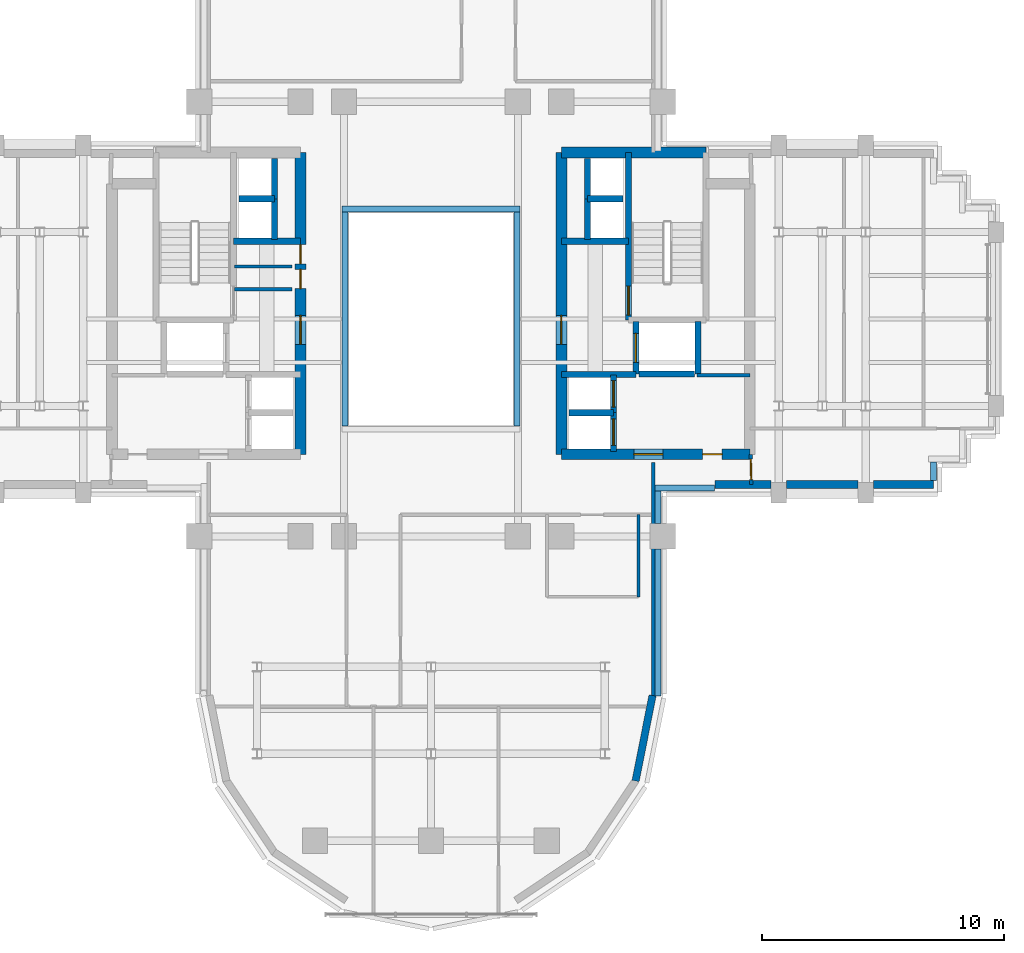
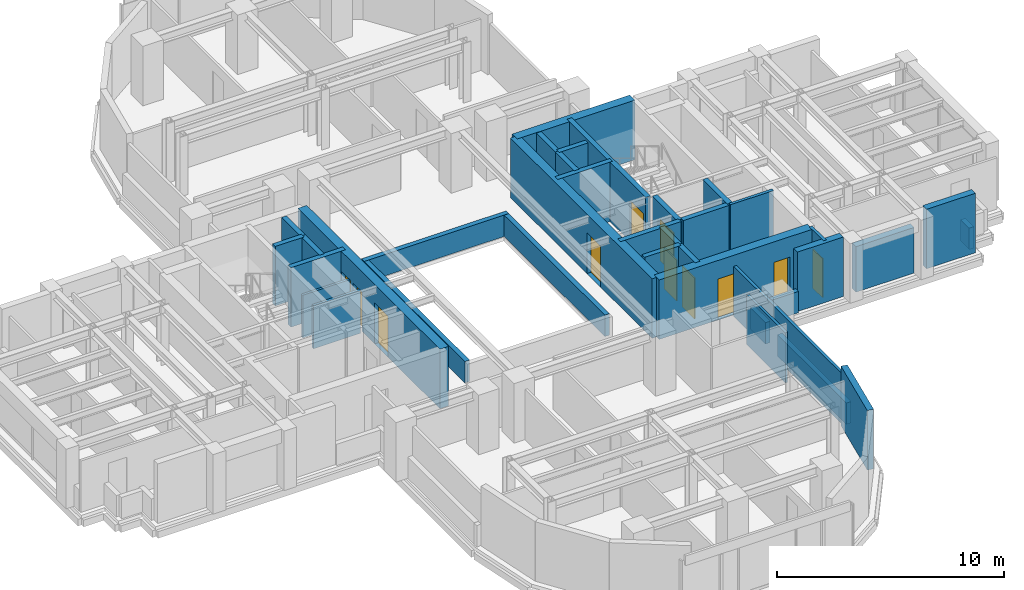
# One storey, part 9 of 14: 37 walls, 11 doors, 11 openings.
"""IFC4 building model written with IfcOpenShell, lengths in metres."""

from ifc_helpers import new_model, si_unit, direction, frame, frame_2d, origin, place, context, subcontext, project, spatial, rectangle, extrude, source, transform, mapped, material, layer, layer_set, type_object, element, fill, save


model = new_model("IFC4")

# Units and contexts
model_context = context("Model", 3, precision=1e-05, world=origin(), true_north=direction((0.0, 1.0)))
body_context = subcontext(model_context, "Body", "Model", "MODEL_VIEW")
ifc_project = project(units=[si_unit("LENGTHUNIT", "METRE"), si_unit("AREAUNIT", "SQUARE_METRE"), si_unit("VOLUMEUNIT", "CUBIC_METRE"), si_unit("PLANEANGLEUNIT", "RADIAN"), si_unit("MASSUNIT", "GRAM", prefix="KILO")], contexts=[model_context])

# Site, building, storey
site_placement = place(None, origin())
site = spatial("IfcSite", under=ifc_project, at=site_placement, CompositionType="ELEMENT")
building_placement = place(site_placement, origin())
building = spatial("IfcBuilding", under=site, at=building_placement, Name="Keilestroom Media Tower", CompositionType="ELEMENT")
storey_placement = place(building_placement, frame((0.0, 0.0, 117.60009765625)))
storey = spatial("IfcBuildingStorey", under=building, at=storey_placement, Name="L31", CompositionType="ELEMENT", Elevation=117.60009765625)

# Walls
ifc_material_1 = material(Name="Precast concrete C40/50", Category="concrete")
ifc_layer_1 = layer(ifc_material_1, 0.300048828125)
ifc_layer_set_1 = layer_set([ifc_layer_1], Name="Precast concrete C40/50")
wall_type_1 = type_object("IfcWallType", Name="Exterior-Masonry-Spandrel-Wall-300", PredefinedType="SOLIDWALL", material=ifc_layer_set_1)
wall_1_placement = place(storey_placement, frame((8.470703125, -19.12451171875, 0.0), z_axis=(0.0, 0.0, 1.0), x_axis=(0.195114232679, 0.980780523974, 0.0)))
element("IfcWall", 1, at=wall_1_placement, inside=storey, type_object=wall_type_1, Name="L31 Lobe Facet Precast Frame Wall 12", PredefinedType="SOLIDWALL", context=body_context, shape_type="SweptSolid", body=[
    extrude(rectangle(XDim=3.608642578125, YDim=0.300048828125, at=frame_2d((1.80419921875, 0.0))), origin(), (0.0, 0.0, 1.0), 3.199951171875),
])
ifc_layer_2 = layer(ifc_material_1, 0.340087890625)
ifc_layer_set_2 = layer_set([ifc_layer_2], Name="Precast concrete C40/50")
wall_type_2 = type_object("IfcWallType", Name="Exterior-Masonry-Spandrel-Wall-340", PredefinedType="SOLIDWALL", material=ifc_layer_set_2)
wall_2_placement = place(storey_placement, frame((11.75, -6.85009765625, 0.0), z_axis=(0.0, 0.0, 1.0), x_axis=(1.0, 0.0, 0.0)))
element("IfcWall", 2, at=wall_2_placement, inside=storey, type_object=wall_type_2, Name="L31 Flank Masonry Wall EWL-L31-SE-1", PredefinedType="SOLIDWALL", context=body_context, shape_type="SweptSolid", body=[
    extrude(rectangle(XDim=2.3330078125, YDim=0.340087890625, at=frame_2d((1.16650390625, 0.0))), origin(), (0.0, 0.0, 1.0), 3.199951171875),
])
wall_3_placement = place(storey_placement, frame((14.717041015625, -6.85009765625, 0.0), z_axis=(0.0, 0.0, 1.0), x_axis=(1.0, 0.0, 0.0)))
element("IfcWall", 3, at=wall_3_placement, inside=storey, type_object=wall_type_2, Name="L31 Flank Masonry Wall EWL-L31-SE-2", PredefinedType="SOLIDWALL", context=body_context, shape_type="SweptSolid", body=[
    extrude(rectangle(XDim=2.966064453125, YDim=0.340087890625, at=frame_2d((1.48291015625, 0.0))), origin(), (0.0, 0.0, 1.0), 2.449951171875),
])
wall_4_placement = place(storey_placement, frame((18.31689453125, -6.85009765625, 0.0), z_axis=(0.0, 0.0, 1.0), x_axis=(1.0, 0.0, 0.0)))
element("IfcWall", 4, at=wall_4_placement, inside=storey, type_object=wall_type_2, Name="L31 Flank Masonry Wall EWL-L31-SE-3", PredefinedType="SOLIDWALL", context=body_context, shape_type="SweptSolid", body=[
    extrude(rectangle(XDim=2.483154296875, YDim=0.340087890625, at=frame_2d((1.24169921875, 0.0))), origin(), (0.0, 0.0, 1.0), 3.199951171875),
])
ifc_material_2 = material(Name="Gypsum Plasterboard & Steel Stud", Category="steel")
ifc_layer_3 = layer(ifc_material_2, 0.1201171875)
ifc_layer_set_3 = layer_set([ifc_layer_3], Name="Gypsum Plasterboard & Steel Stud")
wall_type_3 = type_object("IfcWallType", Name="Interior-Partition-Wall-120", PredefinedType="PARTITIONING", material=ifc_layer_set_3)
wall_5_placement = place(storey_placement, frame((-8.139892578125, 2.179931640625, 0.0), z_axis=(0.0, 0.0, 1.0), x_axis=(1.0, 0.0, 0.0)))
element("IfcWall", 5, at=wall_5_placement, inside=storey, type_object=wall_type_3, Name="L31 Interior Wall WP-L31-CNW-N", PredefinedType="PARTITIONING", context=body_context, shape_type="SweptSolid", body=[
    extrude(rectangle(XDim=2.389892578125, YDim=0.1201171875, at=frame_2d((1.19482421875, 0.0))), origin(), (0.0, 0.0, 1.0), 2.2998046875),
])
wall_6_placement = place(storey_placement, frame((8.60009765625, -11.5, 0.0), z_axis=(0.0, 0.0, 1.0), x_axis=(0.0, 1.0, 0.0)))
element("IfcWall", 6, at=wall_6_placement, inside=storey, type_object=wall_type_3, Name="L31 Interior Wall WP-L31-SL-WC-E", PredefinedType="PARTITIONING", context=body_context, shape_type="SweptSolid", body=[
    extrude(rectangle(XDim=3.39990234375, YDim=0.1201171875, at=frame_2d((1.699951171875, 0.0))), origin(), (0.0, 0.0, 1.0), 2.699951171875),
])
ifc_layer_4 = layer(ifc_material_2, 0.14990234375)
ifc_layer_set_4 = layer_set([ifc_layer_4], Name="Gypsum Plasterboard & Steel Stud")
wall_type_4 = type_object("IfcWallType", Name="Interior-Partition-Wall-150", PredefinedType="PARTITIONING", material=ifc_layer_set_4)
wall_7_placement = place(storey_placement, frame((-8.139892578125, 1.239990234375, 0.0), z_axis=(0.0, 0.0, 1.0), x_axis=(1.0, 0.0, 0.0)))
element("IfcWall", 7, at=wall_7_placement, inside=storey, type_object=wall_type_4, Name="L31 Interior Wall WP-L31-FFW-TOP", PredefinedType="PARTITIONING", context=body_context, shape_type="SweptSolid", body=[
    extrude(rectangle(XDim=2.389892578125, YDim=0.14990234375, at=frame_2d((1.19482421875, 0.0))), origin(), (0.0, 0.0, 1.0), 2.2998046875),
])
wall_8_placement = place(storey_placement, frame((11.02001953125, -2.320068359375, 0.0), z_axis=(0.0, 0.0, 1.0), x_axis=(1.0, 0.0, 0.0)))
element("IfcWall", 8, at=wall_8_placement, inside=storey, type_object=wall_type_4, Name="L31 Interior Wall WP-L31-RECLE-N", PredefinedType="PARTITIONING", context=body_context, shape_type="SweptSolid", body=[
    extrude(rectangle(XDim=2.179931640625, YDim=0.14990234375, at=frame_2d((1.08984375, 0.0))), origin(), (0.0, 0.0, 1.0), 3.199951171875),
])
wall_9_placement = place(storey_placement, frame((9.199951171875, -15.679931640625, 0.0), z_axis=(0.0, 0.0, 1.0), x_axis=(0.0, 1.0, 0.0)))
element("IfcWall", 9, at=wall_9_placement, inside=storey, type_object=wall_type_4, Name="L31 Interior Wall WP-L31-SL-CHKE", PredefinedType="PARTITIONING", context=body_context, shape_type="SweptSolid", body=[
    extrude(rectangle(XDim=9.739990234375, YDim=0.14990234375, at=frame_2d((4.8701171875, 0.0))), origin(), (0.0, 0.0, 1.0), 2.699951171875),
])

# Wall, opening, door
wall_10_placement = place(storey_placement, frame((13.260009765625, -6.85009765625, 0.0), z_axis=(0.0, 0.0, 1.0), x_axis=(-0.016013571389, 0.999871774545, 0.0)))
wall_10 = element("IfcWall", 10, at=wall_10_placement, inside=storey, type_object=wall_type_4, Name="L31 Interior Wall WP-L31-EA-ENTS", PredefinedType="PARTITIONING", context=body_context, shape_type="SweptSolid", body=[
    extrude(rectangle(XDim=1.250244140625, YDim=0.14990234375, at=frame_2d((0.625, 0.0))), origin(), (0.0, 0.0, 1.0), 3.199951171875),
])
opening_1_placement = place(wall_10_placement, frame((0.199951171875, 0.0, 0.0)))
opening_1 = element("IfcOpeningElement", 11, at=opening_1_placement, cuts=wall_10, Name="Opening DI-05", PredefinedType="OPENING", context=body_context, shape_type="SweptSolid", body=[
    extrude(rectangle(XDim=0.85009765625, YDim=2.10009765625, at=frame_2d((0.425048828125, 1.050048828125))), frame((0.0, 0.0849609375, 0.0), z_axis=(0.0, -1.0, 0.0), x_axis=(1.0, 0.0, 0.0)), (0.0, 0.0, 1.0), 0.169921875),
])
ifc_material_3 = material(Name="Moisture-Resistant Oak Leaf", Category="wood")
door_type_1 = type_object("IfcDoorType", Name="Interior-En-Suite-And-Cupboard-Door-DI-05", OperationType="NOTDEFINED", PredefinedType="DOOR", material=ifc_material_3)
shared_shape_1 = source(origin(), body_context, "Body", "SweptSolid", [
    extrude(rectangle(XDim=0.85009765625, YDim=2.10009765625, at=frame_2d((0.425048828125, 1.050048828125))), frame((0.0, 0.02490234375, 0.0), z_axis=(0.0, -1.0, 0.0), x_axis=(1.0, 0.0, 0.0)), (0.0, 0.0, 1.0), 0.050048828125),
])
door_1_placement = place(opening_1_placement, origin())
door_1 = element("IfcDoor", 12, at=door_1_placement, inside=storey, type_object=door_type_1, Name="L31 Interior Door DI-L31-DEA-ENTS", OperationType="SINGLE_SWING_LEFT", OverallHeight=2.10009765625, OverallWidth=0.85009765625, PredefinedType="DOOR", context=body_context, shape_type="MappedRepresentation", body=[
    mapped(shared_shape_1, transform((0.0, 0.0, 0.0), x_axis=(1.0, 0.0, 0.0), y_axis=(0.0, 1.0, 0.0), z_axis=(0.0, 0.0, 1.0), scale=1.0)),
])
fill(opening_1, door_1)

# Wall, openings, doors
ifc_material_4 = material(Name="Concrete C55/67", Category="concrete")
ifc_layer_5 = layer(ifc_material_4, 0.449951171875)
ifc_layer_set_5 = layer_set([ifc_layer_5], Name="Concrete C55/67")
wall_type_5 = type_object("IfcWallType", Name="Reinforced-Concrete-Core-Shear-Wall-450", PredefinedType="SHEAR", material=ifc_layer_set_5)
wall_11_placement = place(storey_placement, frame((-5.39990234375, -5.60009765625, 0.0), z_axis=(0.0, 0.0, 1.0), x_axis=(0.0, 1.0, 0.0)))
wall_11 = element("IfcWall", 13, at=wall_11_placement, inside=storey, type_object=wall_type_5, Name="L31 Core Shear Wall WL-L31-CORE-W-IN", PredefinedType="SHEAR", context=body_context, shape_type="SweptSolid", body=[
    extrude(rectangle(XDim=12.5, YDim=0.449951171875, at=frame_2d((6.25, 0.0))), origin(), (0.0, 0.0, 1.0), 3.199951171875),
])
opening_2_placement = place(wall_11_placement, frame((4.550048828125, 0.0, 0.0)))
opening_2 = element("IfcOpeningElement", 14, at=opening_2_placement, cuts=wall_11, Name="Opening DI-02", PredefinedType="OPENING", context=body_context, shape_type="SweptSolid", body=[
    extrude(rectangle(XDim=1.199951171875, YDim=2.199951171875, at=frame_2d((0.60009765625, 1.10009765625))), frame((0.0, 0.23486328125, 0.0), z_axis=(0.0, -1.0, 0.0), x_axis=(1.0, 0.0, 0.0)), (0.0, 0.0, 1.0), 0.469970703125),
])
opening_3_placement = place(wall_11_placement, frame((6.860107421875, 0.0, 0.0)))
opening_3 = element("IfcOpeningElement", 15, at=opening_3_placement, cuts=wall_11, Name="Opening DI-06", PredefinedType="OPENING", context=body_context, shape_type="SweptSolid", body=[
    extrude(rectangle(XDim=0.800048828125, YDim=2.10009765625, at=frame_2d((0.39990234375, 1.050048828125))), frame((0.0, 0.23486328125, 0.0), z_axis=(0.0, -1.0, 0.0), x_axis=(1.0, 0.0, 0.0)), (0.0, 0.0, 1.0), 0.469970703125),
])
opening_4_placement = place(wall_11_placement, frame((7.8798828125, 0.0, 0.0)))
opening_4 = element("IfcOpeningElement", 16, at=opening_4_placement, cuts=wall_11, Name="Opening DI-06", PredefinedType="OPENING", context=body_context, shape_type="SweptSolid", body=[
    extrude(rectangle(XDim=0.800048828125, YDim=2.10009765625, at=frame_2d((0.39990234375, 1.050048828125))), frame((0.0, 0.23486328125, 0.0), z_axis=(0.0, -1.0, 0.0), x_axis=(1.0, 0.0, 0.0)), (0.0, 0.0, 1.0), 0.469970703125),
])
ifc_material_5 = material(Name="Powder-Coated Steel Fire Leaf", Category="steel")
door_type_2 = type_object("IfcDoorType", Name="Interior-Compartment-Fire-Door-DI-02", OperationType="NOTDEFINED", PredefinedType="DOOR", material=ifc_material_5)
shared_shape_2 = source(origin(), body_context, "Body", "SweptSolid", [
    extrude(rectangle(XDim=1.199951171875, YDim=2.199951171875, at=frame_2d((0.60009765625, 1.10009765625))), frame((0.0, 0.02490234375, 0.0), z_axis=(0.0, -1.0, 0.0), x_axis=(1.0, 0.0, 0.0)), (0.0, 0.0, 1.0), 0.050048828125),
])
door_2_placement = place(opening_2_placement, origin())
door_2 = element("IfcDoor", 17, at=door_2_placement, inside=storey, type_object=door_type_2, Name="L31 W Firefighting Lobby Door", OperationType="SINGLE_SWING_RIGHT", OverallHeight=2.199951171875, OverallWidth=1.199951171875, PredefinedType="DOOR", context=body_context, shape_type="MappedRepresentation", body=[
    mapped(shared_shape_2, transform((0.0, 0.0, 0.0), x_axis=(1.0, 0.0, 0.0), y_axis=(0.0, 1.0, 0.0), z_axis=(0.0, 0.0, 1.0), scale=1.0)),
])
fill(opening_2, door_2)
ifc_material_6 = material(Name="Powder-Coated Steel Service Leaf", Category="steel")
door_type_3 = type_object("IfcDoorType", Name="Interior-Riser-Access-Door-DI-06", OperationType="NOTDEFINED", PredefinedType="DOOR", material=ifc_material_6)
shared_shape_3 = source(origin(), body_context, "Body", "SweptSolid", [
    extrude(rectangle(XDim=0.800048828125, YDim=2.10009765625, at=frame_2d((0.39990234375, 1.050048828125))), frame((0.0, 0.02490234375, 0.0), z_axis=(0.0, -1.0, 0.0), x_axis=(1.0, 0.0, 0.0)), (0.0, 0.0, 1.0), 0.050048828125),
])
door_3_placement = place(opening_3_placement, origin())
door_3 = element("IfcDoor", 18, at=door_3_placement, inside=storey, type_object=door_type_3, Name="L31 West Core Switchroom Door", OperationType="SINGLE_SWING_LEFT", OverallHeight=2.10009765625, OverallWidth=0.800048828125, PredefinedType="DOOR", context=body_context, shape_type="MappedRepresentation", body=[
    mapped(shared_shape_3, transform((0.0, 0.0, 0.0), x_axis=(1.0, 0.0, 0.0), y_axis=(0.0, 1.0, 0.0), z_axis=(0.0, 0.0, 1.0), scale=1.0)),
])
fill(opening_3, door_3)
door_4_placement = place(opening_4_placement, origin())
door_4 = element("IfcDoor", 19, at=door_4_placement, inside=storey, type_object=door_type_3, Name="L31 West Core Closet Door", OperationType="SINGLE_SWING_LEFT", OverallHeight=2.10009765625, OverallWidth=0.800048828125, PredefinedType="DOOR", context=body_context, shape_type="MappedRepresentation", body=[
    mapped(shared_shape_3, transform((0.0, 0.0, 0.0), x_axis=(1.0, 0.0, 0.0), y_axis=(0.0, 1.0, 0.0), z_axis=(0.0, 0.0, 1.0), scale=1.0)),
])
fill(opening_4, door_4)

# Wall, opening, door
wall_12_placement = place(storey_placement, frame((5.39990234375, -5.60009765625, 0.0), z_axis=(0.0, 0.0, 1.0), x_axis=(0.0, 1.0, 0.0)))
wall_12 = element("IfcWall", 20, at=wall_12_placement, inside=storey, type_object=wall_type_5, Name="L31 Core Shear Wall WL-L31-CORE-E-IN", PredefinedType="SHEAR", context=body_context, shape_type="SweptSolid", body=[
    extrude(rectangle(XDim=12.5, YDim=0.449951171875, at=frame_2d((6.25, 0.0))), origin(), (0.0, 0.0, 1.0), 3.199951171875),
])
opening_5_placement = place(wall_12_placement, frame((4.550048828125, 0.0, 0.0)))
opening_5 = element("IfcOpeningElement", 21, at=opening_5_placement, cuts=wall_12, Name="Opening DI-02", PredefinedType="OPENING", context=body_context, shape_type="SweptSolid", body=[
    extrude(rectangle(XDim=1.199951171875, YDim=2.199951171875, at=frame_2d((0.60009765625, 1.10009765625))), frame((0.0, 0.23486328125, 0.0), z_axis=(0.0, -1.0, 0.0), x_axis=(1.0, 0.0, 0.0)), (0.0, 0.0, 1.0), 0.469970703125),
])
door_5_placement = place(opening_5_placement, origin())
door_5 = element("IfcDoor", 22, at=door_5_placement, inside=storey, type_object=door_type_2, Name="L31 E Firefighting Lobby Door", OperationType="SINGLE_SWING_LEFT", OverallHeight=2.199951171875, OverallWidth=1.199951171875, PredefinedType="DOOR", context=body_context, shape_type="MappedRepresentation", body=[
    mapped(shared_shape_2, transform((0.0, 0.0, 0.0), x_axis=(1.0, 0.0, 0.0), y_axis=(0.0, 1.0, 0.0), z_axis=(0.0, 0.0, 1.0), scale=1.0)),
])
fill(opening_5, door_5)

# Wall
wall_13_placement = place(storey_placement, frame((5.39990234375, 6.89990234375, 0.0), z_axis=(0.0, 0.0, 1.0), x_axis=(1.0, 0.0, 0.0)))
element("IfcWall", 23, at=wall_13_placement, inside=storey, type_object=wall_type_5, Name="L31 Core Shear Wall WL-L31-CORE-E-N", PredefinedType="SHEAR", context=body_context, shape_type="SweptSolid", body=[
    extrude(rectangle(XDim=5.981201171875, YDim=0.449951171875, at=frame_2d((2.99072265625, 0.0))), origin(), (0.0, 0.0, 1.0), 3.199951171875),
])

# Wall, openings, doors
wall_14_placement = place(storey_placement, frame((5.39990234375, -5.60009765625, 0.0), z_axis=(0.0, 0.0, 1.0), x_axis=(1.0, 0.0, 0.0)))
wall_14 = element("IfcWall", 24, at=wall_14_placement, inside=storey, type_object=wall_type_5, Name="L31 Core Shear Wall WL-L31-CORE-E-S", PredefinedType="SHEAR", context=body_context, shape_type="SweptSolid", body=[
    extrude(rectangle(XDim=7.800048828125, YDim=0.449951171875, at=frame_2d((3.89990234375, 0.0))), origin(), (0.0, 0.0, 1.0), 3.199951171875),
])
opening_6_placement = place(wall_14_placement, frame((3.0, 0.0, 0.0)))
opening_6 = element("IfcOpeningElement", 25, at=opening_6_placement, cuts=wall_14, Name="Opening DI-02", PredefinedType="OPENING", context=body_context, shape_type="SweptSolid", body=[
    extrude(rectangle(XDim=1.199951171875, YDim=2.199951171875, at=frame_2d((0.60009765625, 1.10009765625))), frame((0.0, 0.23486328125, 0.0), z_axis=(0.0, -1.0, 0.0), x_axis=(1.0, 0.0, 0.0)), (0.0, 0.0, 1.0), 0.469970703125),
])
opening_7_placement = place(wall_14_placement, frame((5.85009765625, 0.0, 0.0)))
opening_7 = element("IfcOpeningElement", 26, at=opening_7_placement, cuts=wall_14, Name="Opening DI-06", PredefinedType="OPENING", context=body_context, shape_type="SweptSolid", body=[
    extrude(rectangle(XDim=0.800048828125, YDim=2.10009765625, at=frame_2d((0.39990234375, 1.050048828125))), frame((0.0, 0.23486328125, 0.0), z_axis=(0.0, -1.0, 0.0), x_axis=(1.0, 0.0, 0.0)), (0.0, 0.0, 1.0), 0.469970703125),
])
door_6_placement = place(opening_6_placement, origin())
door_6 = element("IfcDoor", 27, at=door_6_placement, inside=storey, type_object=door_type_2, Name="L31 E Passenger Lift Lobby Door", OperationType="SINGLE_SWING_RIGHT", OverallHeight=2.199951171875, OverallWidth=1.199951171875, PredefinedType="DOOR", context=body_context, shape_type="MappedRepresentation", body=[
    mapped(shared_shape_2, transform((0.0, 0.0, 0.0), x_axis=(1.0, 0.0, 0.0), y_axis=(0.0, 1.0, 0.0), z_axis=(0.0, 0.0, 1.0), scale=1.0)),
])
fill(opening_6, door_6)
door_7_placement = place(opening_7_placement, origin())
door_7 = element("IfcDoor", 28, at=door_7_placement, inside=storey, type_object=door_type_3, Name="L31 Reclaimed East Core Room Door", OperationType="SINGLE_SWING_RIGHT", OverallHeight=2.10009765625, OverallWidth=0.800048828125, PredefinedType="DOOR", context=body_context, shape_type="MappedRepresentation", body=[
    mapped(shared_shape_3, transform((0.0, 0.0, 0.0), x_axis=(1.0, 0.0, 0.0), y_axis=(0.0, 1.0, 0.0), z_axis=(0.0, 0.0, 1.0), scale=1.0)),
])
fill(opening_7, door_7)

# Walls
ifc_material_7 = material(Name="Concrete C50/60", Category="concrete")
ifc_layer_6 = layer(ifc_material_7, 0.25)
ifc_layer_set_6 = layer_set([ifc_layer_6], Name="Concrete C50/60")
wall_type_6 = type_object("IfcWallType", Name="Reinforced-Concrete-Shaft-Wall-250", PredefinedType="SOLIDWALL", material=ifc_layer_set_6)
for number, where, z_axis, x_axis, name in (
    (29, (-8.179931640625, 3.219970703125, 0.0), (0.0, 0.0, 1.0), (1.0, 0.0, 0.0), "L31 Core Shear Wall WL-L31-CORE-W-FFN"),
    (30, (5.39990234375, 3.219970703125, 0.0), (0.0, 0.0, 1.0), (1.0, 0.0, 0.0), "L31 Core Shear Wall WL-L31-CORE-E-FFN"),
):
    element("IfcWall", number, at=place(storey_placement, frame(where, z_axis=z_axis, x_axis=x_axis)), inside=storey, type_object=wall_type_6, Name=name, PredefinedType="SOLIDWALL", context=body_context, shape_type="SweptSolid", body=[
        extrude(rectangle(XDim=2.780029296875, YDim=0.25, at=frame_2d((1.39013671875, 0.0))), origin(), (0.0, 0.0, 1.0), 3.199951171875),
    ])
wall_15_placement = place(storey_placement, frame((5.39990234375, -2.300048828125, 0.0), z_axis=(0.0, 0.0, 1.0), x_axis=(1.0, 0.0, 0.0)))
element("IfcWall", 31, at=wall_15_placement, inside=storey, type_object=wall_type_6, Name="L31 Core Shear Wall WL-L31-CORE-E-FFS", PredefinedType="SOLIDWALL", context=body_context, shape_type="SweptSolid", body=[
    extrude(rectangle(XDim=3.080078125, YDim=0.25, at=frame_2d((1.5400390625, 0.0))), origin(), (0.0, 0.0, 1.0), 3.199951171875),
])

# Wall, opening, door
wall_16_placement = place(storey_placement, frame((8.178955078125, -0.041015625, 0.0), z_axis=(0.0, 0.0, 1.0), x_axis=(0.0, 1.0, 0.0)))
wall_16 = element("IfcWall", 32, at=wall_16_placement, inside=storey, type_object=wall_type_6, Name="L31 Core Shear Wall WL-L31-STW-E-NEAR", PredefinedType="SOLIDWALL", context=body_context, shape_type="SweptSolid", body=[
    extrude(rectangle(XDim=6.94091796875, YDim=0.25, at=frame_2d((3.470458984375, 0.0))), origin(), (0.0, 0.0, 1.0), 3.199951171875),
])
opening_8_placement = place(wall_16_placement, frame((0.199951171875, 0.0, 0.0)))
opening_8 = element("IfcOpeningElement", 33, at=opening_8_placement, cuts=wall_16, Name="Opening DI-01S", PredefinedType="OPENING", context=body_context, shape_type="SweptSolid", body=[
    extrude(rectangle(XDim=1.199951171875, YDim=2.199951171875, at=frame_2d((0.60009765625, 1.10009765625))), frame((0.0, 0.135009765625, 0.0), z_axis=(0.0, -1.0, 0.0), x_axis=(1.0, 0.0, 0.0)), (0.0, 0.0, 1.0), 0.27001953125),
])
door_type_4 = type_object("IfcDoorType", Name="Interior-Stair-And-Core-Fire-Door-DI-01", OperationType="NOTDEFINED", PredefinedType="DOOR", material=ifc_material_5)
door_8_placement = place(opening_8_placement, origin())
door_8 = element("IfcDoor", 34, at=door_8_placement, inside=storey, type_object=door_type_4, Name="L31 Escape Stair ST-2 Fire Door", OperationType="SINGLE_SWING_RIGHT", OverallHeight=2.199951171875, OverallWidth=1.199951171875, PredefinedType="DOOR", context=body_context, shape_type="MappedRepresentation", body=[
    mapped(shared_shape_2, transform((0.0, 0.0, 0.0), x_axis=(1.0, 0.0, 0.0), y_axis=(0.0, 1.0, 0.0), z_axis=(0.0, 0.0, 1.0), scale=1.0)),
])
fill(opening_8, door_8)

wall_17_placement = place(storey_placement, frame((8.47998046875, -2.280029296875, 0.0), z_axis=(0.0, 0.0, 1.0), x_axis=(0.0, 1.0, 0.0)))
wall_17 = element("IfcWall", 35, at=wall_17_placement, inside=storey, type_object=wall_type_6, Name="L31 Core Shear Wall WL-L31-LSH-FFL-2-W", PredefinedType="SOLIDWALL", context=body_context, shape_type="SweptSolid", body=[
    extrude(rectangle(XDim=2.179931640625, YDim=0.25, at=frame_2d((1.08984375, 0.0))), origin(), (0.0, 0.0, 1.0), 3.199951171875),
])
opening_9_placement = place(wall_17_placement, frame((0.489990234375, 0.0, 0.0)))
opening_9 = element("IfcOpeningElement", 36, at=opening_9_placement, cuts=wall_17, Name="Opening LD-02", PredefinedType="OPENING", context=body_context, shape_type="SweptSolid", body=[
    extrude(rectangle(XDim=1.199951171875, YDim=2.199951171875, at=frame_2d((0.60009765625, 1.10009765625))), frame((0.0, 0.135009765625, 0.0), z_axis=(0.0, -1.0, 0.0), x_axis=(1.0, 0.0, 0.0)), (0.0, 0.0, 1.0), 0.27001953125),
])
ifc_material_8 = material(Name="Brushed Stainless Steel Sliding Leaf", Category="steel")
door_type_5 = type_object("IfcDoorType", Name="Lift-Landing-Sliding-Door-LD-02", OperationType="SLIDING_TO_RIGHT", PredefinedType="DOOR", material=ifc_material_8)
door_9_placement = place(opening_9_placement, origin())
door_9 = element("IfcDoor", 37, at=door_9_placement, inside=storey, type_object=door_type_5, Name="L31 Lift FFL-2 Landing Sliding Door", OperationType="SLIDING_TO_RIGHT", OverallHeight=2.199951171875, OverallWidth=1.199951171875, PredefinedType="DOOR", context=body_context, shape_type="MappedRepresentation", body=[
    mapped(shared_shape_2, transform((0.0, 0.0, 0.0), x_axis=(1.0, 0.0, 0.0), y_axis=(0.0, 1.0, 0.0), z_axis=(0.0, 0.0, 1.0), scale=1.0)),
])
fill(opening_9, door_9)

# Walls
wall_18_placement = place(storey_placement, frame((11.050048828125, -2.280029296875, 0.0), z_axis=(0.0, 0.0, 1.0), x_axis=(0.0, 1.0, 0.0)))
element("IfcWall", 38, at=wall_18_placement, inside=storey, type_object=wall_type_6, Name="L31 Core Shear Wall WL-L31-LSH-FFL-2-E", PredefinedType="SOLIDWALL", context=body_context, shape_type="SweptSolid", body=[
    extrude(rectangle(XDim=2.179931640625, YDim=0.25, at=frame_2d((1.08984375, 0.0))), origin(), (0.0, 0.0, 1.0), 3.199951171875),
])
wall_19_placement = place(storey_placement, frame((8.60888671875, -2.280029296875, 0.0), z_axis=(0.0, 0.0, 1.0), x_axis=(1.0, 0.0, 0.0)))
element("IfcWall", 39, at=wall_19_placement, inside=storey, type_object=wall_type_6, Name="L31 Core Shear Wall WL-L31-LSH-FFL-2-S", PredefinedType="SOLIDWALL", context=body_context, shape_type="SweptSolid", body=[
    extrude(rectangle(XDim=2.31201171875, YDim=0.25, at=frame_2d((1.156005859375, 0.0))), origin(), (0.0, 0.0, 1.0), 3.199951171875),
])

# Wall, opening, door
wall_20_placement = place(storey_placement, frame((7.56005859375, -5.47998046875, 0.0), z_axis=(0.0, 0.0, 1.0), x_axis=(0.0, 1.0, 0.0)))
wall_20 = element("IfcWall", 40, at=wall_20_placement, inside=storey, type_object=wall_type_6, Name="L31 Core Shear Wall WL-L31-LSH-PL-M3-E", PredefinedType="SOLIDWALL", context=body_context, shape_type="SweptSolid", body=[
    extrude(rectangle(XDim=1.60009765625, YDim=0.25, at=frame_2d((0.800048828125, 0.0))), origin(), (0.0, 0.0, 1.0), 3.199951171875),
])
opening_10_placement = place(wall_20_placement, frame((0.25, 0.0, 0.0)))
opening_10 = element("IfcOpeningElement", 41, at=opening_10_placement, cuts=wall_20, Name="Opening LD-01", PredefinedType="OPENING", context=body_context, shape_type="SweptSolid", body=[
    extrude(rectangle(XDim=1.10009765625, YDim=2.199951171875, at=frame_2d((0.550048828125, 1.10009765625))), frame((0.0, 0.135009765625, 0.0), z_axis=(0.0, -1.0, 0.0), x_axis=(1.0, 0.0, 0.0)), (0.0, 0.0, 1.0), 0.27001953125),
])
door_type_6 = type_object("IfcDoorType", Name="Lift-Landing-Sliding-Door-LD-01", OperationType="SLIDING_TO_LEFT", PredefinedType="DOOR", material=ifc_material_8)
shared_shape_4 = source(origin(), body_context, "Body", "SweptSolid", [
    extrude(rectangle(XDim=1.10009765625, YDim=2.199951171875, at=frame_2d((0.550048828125, 1.10009765625))), frame((0.0, 0.02490234375, 0.0), z_axis=(0.0, -1.0, 0.0), x_axis=(1.0, 0.0, 0.0)), (0.0, 0.0, 1.0), 0.050048828125),
])
door_10_placement = place(opening_10_placement, origin())
door_10 = element("IfcDoor", 42, at=door_10_placement, inside=storey, type_object=door_type_6, Name="L31 Lift PL-M3 Landing Sliding Door", OperationType="SLIDING_TO_LEFT", OverallHeight=2.199951171875, OverallWidth=1.10009765625, PredefinedType="DOOR", context=body_context, shape_type="MappedRepresentation", body=[
    mapped(shared_shape_4, transform((0.0, 0.0, 0.0), x_axis=(1.0, 0.0, 0.0), y_axis=(0.0, 1.0, 0.0), z_axis=(0.0, 0.0, 1.0), scale=1.0)),
])
fill(opening_10, door_10)

# Wall
wall_21_placement = place(storey_placement, frame((5.719970703125, -3.8798828125, 0.0), z_axis=(0.0, 0.0, 1.0), x_axis=(1.0, 0.0, 0.0)))
element("IfcWall", 43, at=wall_21_placement, inside=storey, type_object=wall_type_6, Name="L31 Core Shear Wall WL-L31-LSH-PL-M3-N", PredefinedType="SOLIDWALL", context=body_context, shape_type="SweptSolid", body=[
    extrude(rectangle(XDim=1.840087890625, YDim=0.25, at=frame_2d((0.919921875, 0.0))), origin(), (0.0, 0.0, 1.0), 3.199951171875),
])

# Wall, opening, door
wall_22_placement = place(storey_placement, frame((7.56005859375, -3.8798828125, 0.0), z_axis=(0.0, 0.0, 1.0), x_axis=(0.0, 1.0, 0.0)))
wall_22 = element("IfcWall", 44, at=wall_22_placement, inside=storey, type_object=wall_type_6, Name="L31 Core Shear Wall WL-L31-LSH-PL-M4-E", PredefinedType="SOLIDWALL", context=body_context, shape_type="SweptSolid", body=[
    extrude(rectangle(XDim=1.559814453125, YDim=0.25, at=frame_2d((0.77978515625, 0.0))), origin(), (0.0, 0.0, 1.0), 3.199951171875),
])
opening_11_placement = place(wall_22_placement, frame((0.22998046875, 0.0, 0.0)))
opening_11 = element("IfcOpeningElement", 45, at=opening_11_placement, cuts=wall_22, Name="Opening LD-01", PredefinedType="OPENING", context=body_context, shape_type="SweptSolid", body=[
    extrude(rectangle(XDim=1.10009765625, YDim=2.199951171875, at=frame_2d((0.550048828125, 1.10009765625))), frame((0.0, 0.135009765625, 0.0), z_axis=(0.0, -1.0, 0.0), x_axis=(1.0, 0.0, 0.0)), (0.0, 0.0, 1.0), 0.27001953125),
])
door_11_placement = place(opening_11_placement, origin())
door_11 = element("IfcDoor", 46, at=door_11_placement, inside=storey, type_object=door_type_6, Name="L31 Lift PL-M4 Landing Sliding Door", OperationType="SLIDING_TO_LEFT", OverallHeight=2.199951171875, OverallWidth=1.10009765625, PredefinedType="DOOR", context=body_context, shape_type="MappedRepresentation", body=[
    mapped(shared_shape_4, transform((0.0, 0.0, 0.0), x_axis=(1.0, 0.0, 0.0), y_axis=(0.0, 1.0, 0.0), z_axis=(0.0, 0.0, 1.0), scale=1.0)),
])
fill(opening_11, door_11)

# Walls
wall_23_placement = place(storey_placement, frame((-6.47998046875, 3.300048828125, 0.0), z_axis=(0.0, 0.0, 1.0), x_axis=(0.0, 1.0, 0.0)))
element("IfcWall", 47, at=wall_23_placement, inside=storey, type_object=wall_type_6, Name="L31 Core Shear Wall WL-L31-LSH-PL-H1-E", PredefinedType="SOLIDWALL", context=body_context, shape_type="SweptSolid", body=[
    extrude(rectangle(XDim=1.679931640625, YDim=0.25, at=frame_2d((0.83984375, 0.0))), origin(), (0.0, 0.0, 1.0), 3.199951171875),
])
wall_24_placement = place(storey_placement, frame((-7.949951171875, 4.97998046875, 0.0), z_axis=(0.0, 0.0, 1.0), x_axis=(1.0, 0.0, 0.0)))
element("IfcWall", 48, at=wall_24_placement, inside=storey, type_object=wall_type_6, Name="L31 Core Shear Wall WL-L31-LSH-PL-H1-N", PredefinedType="SOLIDWALL", context=body_context, shape_type="SweptSolid", body=[
    extrude(rectangle(XDim=1.469970703125, YDim=0.25, at=frame_2d((0.73486328125, 0.0))), origin(), (0.0, 0.0, 1.0), 3.199951171875),
])
wall_25_placement = place(storey_placement, frame((-6.47998046875, 4.97998046875, 0.0), z_axis=(0.0, 0.0, 1.0), x_axis=(0.0, 1.0, 0.0)))
element("IfcWall", 49, at=wall_25_placement, inside=storey, type_object=wall_type_6, Name="L31 Core Shear Wall WL-L31-LSH-PL-H2-E", PredefinedType="SOLIDWALL", context=body_context, shape_type="SweptSolid", body=[
    extrude(rectangle(XDim=1.669921875, YDim=0.25, at=frame_2d((0.8349609375, 0.0))), origin(), (0.0, 0.0, 1.0), 3.199951171875),
])
wall_26_placement = place(storey_placement, frame((6.47998046875, 3.300048828125, 0.0), z_axis=(0.0, 0.0, 1.0), x_axis=(0.0, 1.0, 0.0)))
element("IfcWall", 50, at=wall_26_placement, inside=storey, type_object=wall_type_6, Name="L31 Core Shear Wall WL-L31-LSH-PL-H3-W", PredefinedType="SOLIDWALL", context=body_context, shape_type="SweptSolid", body=[
    extrude(rectangle(XDim=1.679931640625, YDim=0.25, at=frame_2d((0.83984375, 0.0))), origin(), (0.0, 0.0, 1.0), 3.199951171875),
])
wall_27_placement = place(storey_placement, frame((6.47998046875, 4.97998046875, 0.0), z_axis=(0.0, 0.0, 1.0), x_axis=(1.0, 0.0, 0.0)))
element("IfcWall", 51, at=wall_27_placement, inside=storey, type_object=wall_type_6, Name="L31 Core Shear Wall WL-L31-LSH-PL-H3-N", PredefinedType="SOLIDWALL", context=body_context, shape_type="SweptSolid", body=[
    extrude(rectangle(XDim=1.469970703125, YDim=0.25, at=frame_2d((0.73486328125, 0.0))), origin(), (0.0, 0.0, 1.0), 3.199951171875),
])
wall_28_placement = place(storey_placement, frame((6.47998046875, 4.97998046875, 0.0), z_axis=(0.0, 0.0, 1.0), x_axis=(0.0, 1.0, 0.0)))
element("IfcWall", 52, at=wall_28_placement, inside=storey, type_object=wall_type_6, Name="L31 Core Shear Wall WL-L31-LSH-PL-H4-W", PredefinedType="SOLIDWALL", context=body_context, shape_type="SweptSolid", body=[
    extrude(rectangle(XDim=1.669921875, YDim=0.25, at=frame_2d((0.8349609375, 0.0))), origin(), (0.0, 0.0, 1.0), 3.199951171875),
])
ifc_layer_7 = layer(ifc_material_1, 0.239990234375)
ifc_layer_set_7 = layer_set([ifc_layer_7], Name="Precast concrete C40/50")
wall_type_7 = type_object("IfcWallType", Name="Roof-And-Terrace-Parapet-Wall-240", PredefinedType="PARAPET", material=ifc_layer_set_7)
wall_29_placement = place(storey_placement, frame((20.800048828125, -5.923095703125, 0.0), z_axis=(0.0, 0.0, 1.0), x_axis=(0.0, -1.0, 0.0)))
element("IfcWall", 53, at=wall_29_placement, inside=storey, type_object=wall_type_7, Name="L31 Perimeter Edge Parapet Wall 03", PredefinedType="PARAPET", context=body_context, shape_type="SweptSolid", body=[
    extrude(rectangle(XDim=0.75390625, YDim=0.239990234375, at=frame_2d((0.376953125, 0.0))), origin(), (0.0, 0.0, 1.0), 1.14990234375),
])
wall_30_placement = place(storey_placement, frame((11.7470703125, -7.0, 0.0), z_axis=(0.0, 0.0, 1.0), x_axis=(-1.0, 0.0, 0.0)))
element("IfcWall", 54, at=wall_30_placement, inside=storey, type_object=wall_type_7, Name="L31 Perimeter Edge Parapet Wall 04", PredefinedType="PARAPET", context=body_context, shape_type="SweptSolid", body=[
    extrude(rectangle(XDim=2.468994140625, YDim=0.239990234375, at=frame_2d((1.234375, 0.0))), origin(), (0.0, 0.0, 1.0), 1.14990234375),
])
wall_31_placement = place(storey_placement, frame((9.39990234375, -7.123046875, 0.0), z_axis=(0.0, 0.0, 1.0), x_axis=(0.0, -1.0, 0.0)))
element("IfcWall", 55, at=wall_31_placement, inside=storey, type_object=wall_type_7, Name="L31 Perimeter Edge Parapet Wall 05", PredefinedType="PARAPET", context=body_context, shape_type="SweptSolid", body=[
    extrude(rectangle(XDim=1.348876953125, YDim=0.239990234375, at=frame_2d((0.67431640625, 0.0))), origin(), (0.0, 0.0, 1.0), 1.14990234375),
])
wall_32_placement = place(storey_placement, frame((9.39990234375, -9.528076171875, 0.0), z_axis=(0.0, 0.0, 1.0), x_axis=(0.0, -1.0, 0.0)))
element("IfcWall", 56, at=wall_32_placement, inside=storey, type_object=wall_type_7, Name="L31 Perimeter Edge Parapet Wall 06", PredefinedType="PARAPET", context=body_context, shape_type="SweptSolid", body=[
    extrude(rectangle(XDim=6.07470703125, YDim=0.239990234375, at=frame_2d((3.037353515625, 0.0))), origin(), (0.0, 0.0, 1.0), 1.14990234375),
])
wall_33_placement = place(storey_placement, frame((-3.679931640625, 4.56005859375, 0.0), z_axis=(0.0, 0.0, 1.0), x_axis=(1.0, 0.0, 0.0)))
element("IfcWall", 57, at=wall_33_placement, inside=storey, type_object=wall_type_7, Name="L31 Central Atrium Guard Parapet N", PredefinedType="PARAPET", context=body_context, shape_type="SweptSolid", body=[
    extrude(rectangle(XDim=7.35986328125, YDim=0.239990234375, at=frame_2d((3.679931640625, 0.0))), origin(), (0.0, 0.0, 1.0), 1.14990234375),
])
for number, where, z_axis, x_axis, name in (
    (58, (-3.56005859375, -4.43505859375, 0.0), (0.0, 0.0, 1.0), (0.0, 1.0, 0.0), "L31 Central Atrium Guard Parapet W"),
    (59, (3.56005859375, -4.43505859375, 0.0), (0.0, 0.0, 1.0), (0.0, 1.0, 0.0), "L31 Central Atrium Guard Parapet E"),
):
    element("IfcWall", number, at=place(storey_placement, frame(where, z_axis=z_axis, x_axis=x_axis)), inside=storey, type_object=wall_type_7, Name=name, PredefinedType="PARAPET", context=body_context, shape_type="SweptSolid", body=[
        extrude(rectangle(XDim=8.8701171875, YDim=0.239990234375, at=frame_2d((4.43505859375, 0.0))), origin(), (0.0, 0.0, 1.0), 1.14990234375),
    ])

save(model, "model.ifc")
